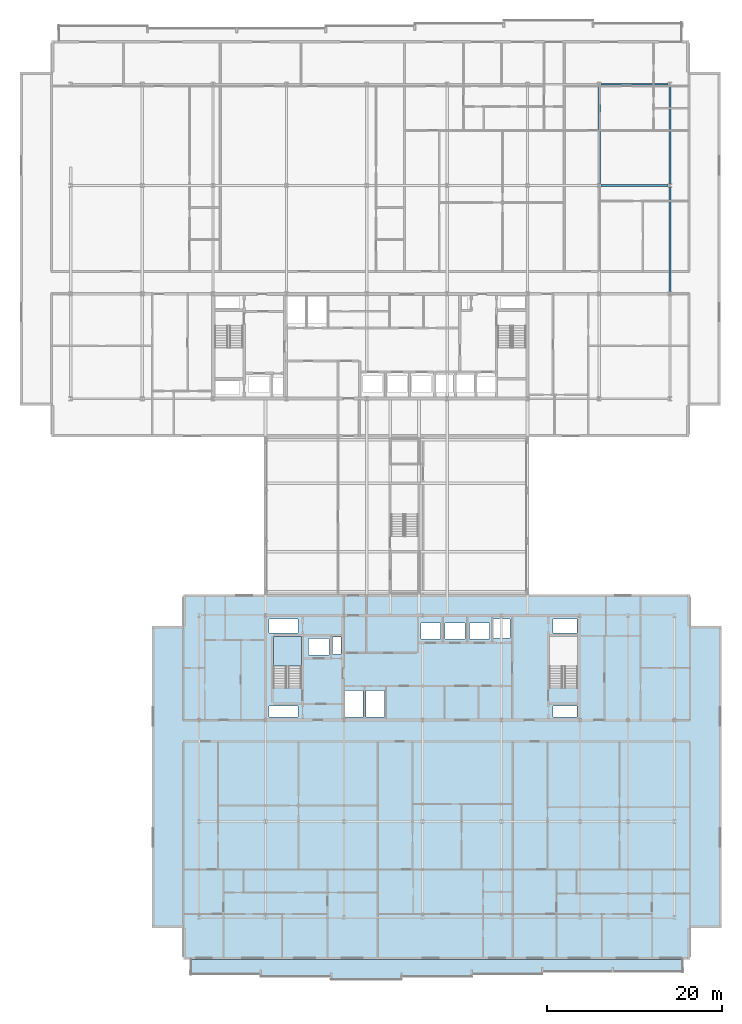
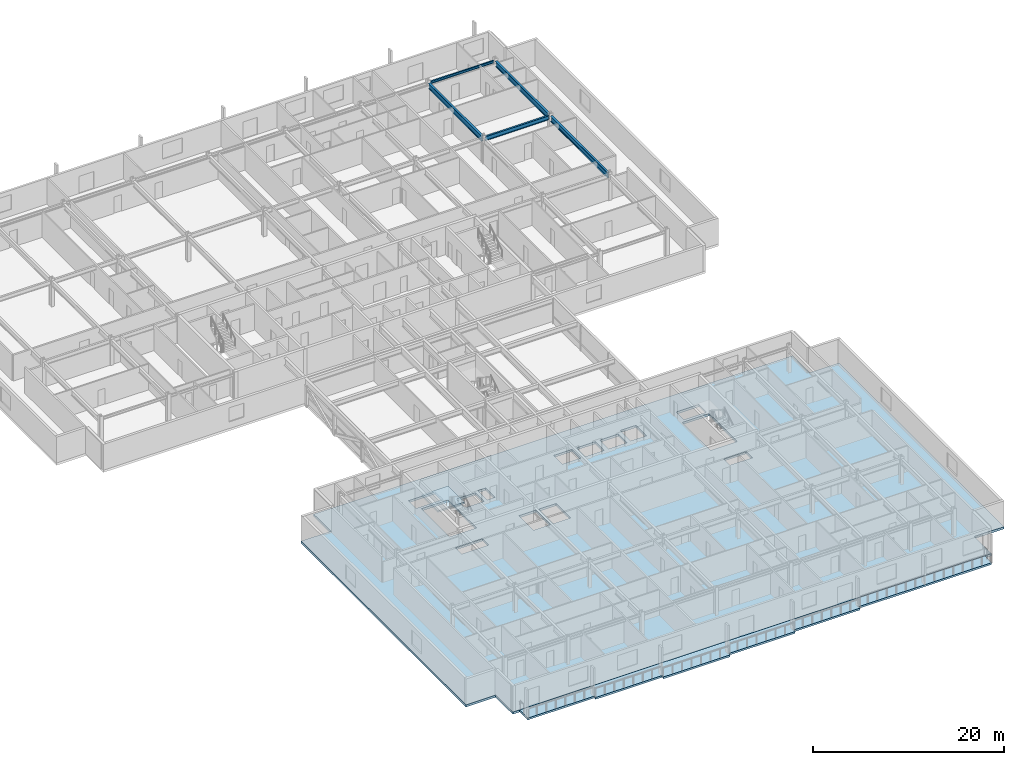
# One storey, part 14 of 36: 5 beams, 3 slabs, 1 element without a shape of its own.
"""IFC4 building model written with IfcOpenShell, lengths in metres."""

from ifc_helpers import new_model, si_unit, direction, frame, origin, origin_2d, place, context, subcontext, project, spatial, polyline, i_section, outline, extrude, material, layer, layer_set, material_profile, profile_set, type_object, element, aggregate, save


model = new_model("IFC4")

# Units and contexts
model_context = context("Model", 3, precision=1e-05, world=origin(), true_north=direction((0.0, 1.0)))
body_context = subcontext(model_context, "Body", "Model", "MODEL_VIEW")
ifc_project = project(units=[si_unit("LENGTHUNIT", "METRE"), si_unit("AREAUNIT", "SQUARE_METRE"), si_unit("VOLUMEUNIT", "CUBIC_METRE"), si_unit("PLANEANGLEUNIT", "RADIAN"), si_unit("MASSUNIT", "GRAM", prefix="KILO")], contexts=[model_context])

# Site, building, storey
site_placement = place(None, origin())
site = spatial("IfcSite", under=ifc_project, at=site_placement, CompositionType="ELEMENT")
building_placement = place(site_placement, origin())
building = spatial("IfcBuilding", under=site, at=building_placement, Name="Korimba Cascade Residences", CompositionType="ELEMENT")
storey_placement = place(building_placement, frame((0.0, 0.0, 142.89990234375)))
storey = spatial("IfcBuildingStorey", under=building, at=storey_placement, Name="L41", CompositionType="ELEMENT", Elevation=142.89990234375)

# Beams
ifc_material_1 = material(Name="Steel S355", Category="steel")
ifc_material_profile_1 = material_profile(ifc_material_1, i_section(OverallWidth=0.165771484375, OverallDepth=0.306640625, WebThickness=0.006591796875, FlangeThickness=0.01171875, FilletRadius=0.0087890625, at=origin_2d()), Name="Steel S355")
ifc_profile_set_1 = profile_set([ifc_material_profile_1], Name="Steel S355")
beam_type_1 = type_object("IfcBeamType", Name="BM-STL-UB305", PredefinedType="SPANDREL", material=ifc_profile_set_1)
beam_1_placement = place(storey_placement, frame((120.506103515625, 91.199951171875, 3.15673828125), z_axis=(1.0, 0.0, 0.0), x_axis=(0.0, 1.0, 0.0)))
element("IfcBeam", 1, at=beam_1_placement, inside=storey, type_object=beam_type_1, Name="L41 T1 E-W Girder Y4 Bay 8", PredefinedType="SPANDREL", context=body_context, shape_type="SweptSolid", body=[
    extrude(i_section(OverallWidth=0.165771484375, OverallDepth=0.306640625, WebThickness=0.006591796875, FlangeThickness=0.01171875, FilletRadius=0.0087890625, at=origin_2d()), origin(), (0.0, 0.0, 1.0), 7.687744140625),
])
ifc_material_profile_2 = material_profile(ifc_material_1, i_section(OverallWidth=0.2099609375, OverallDepth=0.53662109375, WebThickness=0.0107421875, FlangeThickness=0.017333984375, FilletRadius=0.0126953125, at=origin_2d()), Name="Steel S355")
ifc_profile_set_2 = profile_set([ifc_material_profile_2], Name="Steel S355")
beam_type_2 = type_object("IfcBeamType", Name="BM-STL-UB533", PredefinedType="BEAM", material=ifc_profile_set_2)
beam_2_placement = place(storey_placement, frame((120.506103515625, 79.60009765625, 3.041748046875), z_axis=(1.0, 0.0, 0.0), x_axis=(0.0, 1.0, 0.0)))
element("IfcBeam", 2, at=beam_2_placement, inside=storey, type_object=beam_type_2, Name="L41 T1 E-W Girder Y3 Bay 8", PredefinedType="BEAM", context=body_context, shape_type="SweptSolid", body=[
    extrude(i_section(OverallWidth=0.2099609375, OverallDepth=0.53662109375, WebThickness=0.0107421875, FlangeThickness=0.017333984375, FilletRadius=0.0126953125, at=origin_2d()), origin(), (0.0, 0.0, 1.0), 7.687744140625),
])
ifc_material_profile_3 = material_profile(ifc_material_1, i_section(OverallWidth=0.255859375, OverallDepth=0.69287109375, WebThickness=0.014404296875, FlangeThickness=0.023681640625, FilletRadius=0.01513671875, at=origin_2d()), Name="Steel S355")
ifc_profile_set_3 = profile_set([ifc_material_profile_3], Name="Steel S355")
beam_type_3 = type_object("IfcBeamType", Name="BM-STL-UB686", PredefinedType="BEAM", material=ifc_profile_set_3)
beam_3_placement = place(storey_placement, frame((120.300048828125, 79.818359375, 2.963623046875), z_axis=(0.0, 1.0, 0.0), x_axis=(-1.0, 0.0, 0.0)))
element("IfcBeam", 3, at=beam_3_placement, inside=storey, type_object=beam_type_3, Name="L41 T1 N-S Girder X8 Seg 3", PredefinedType="BEAM", context=body_context, shape_type="SweptSolid", body=[
    extrude(i_section(OverallWidth=0.255859375, OverallDepth=0.69287109375, WebThickness=0.014404296875, FlangeThickness=0.023681640625, FilletRadius=0.01513671875, at=origin_2d()), origin(), (0.0, 0.0, 1.0), 11.163330078125),
])
beam_4_placement = place(storey_placement, frame((128.39990234375, 67.418212890625, 2.963623046875), z_axis=(0.0, 1.0, 0.0), x_axis=(-1.0, 0.0, 0.0)))
element("IfcBeam", 4, at=beam_4_placement, inside=storey, type_object=beam_type_3, Name="L41 T1 N-S Girder X9 Seg 2", PredefinedType="BEAM", context=body_context, shape_type="SweptSolid", body=[
    extrude(i_section(OverallWidth=0.255859375, OverallDepth=0.69287109375, WebThickness=0.014404296875, FlangeThickness=0.023681640625, FilletRadius=0.01513671875, at=origin_2d()), origin(), (0.0, 0.0, 1.0), 11.96337890625),
])
beam_5_placement = place(storey_placement, frame((128.39990234375, 79.818359375, 2.963623046875), z_axis=(0.0, 1.0, 0.0), x_axis=(-1.0, 0.0, 0.0)))
element("IfcBeam", 5, at=beam_5_placement, inside=storey, type_object=beam_type_3, Name="L41 T1 N-S Girder X9 Seg 3", PredefinedType="BEAM", context=body_context, shape_type="SweptSolid", body=[
    extrude(i_section(OverallWidth=0.255859375, OverallDepth=0.69287109375, WebThickness=0.014404296875, FlangeThickness=0.023681640625, FilletRadius=0.01513671875, at=origin_2d()), origin(), (0.0, 0.0, 1.0), 11.163330078125),
])

# Stair, slab
ifc_material_2 = material(Name="Concrete C50/60", Category="concrete")
stair_type = type_object("IfcStairType", Name="STR-E1-20R-1800", PredefinedType="HALF_TURN_STAIR", material=ifc_material_2)
stair_placement = place(storey_placement, origin())
stair = element("IfcStair", 6, at=stair_placement, inside=storey, type_object=stair_type, Name="L41 Tower 2 West Fire Stair ST-E1", PredefinedType="HALF_TURN_STAIR")
ifc_layer_1 = layer(ifc_material_2, 0.199951171875)
ifc_layer_set_1 = layer_set([ifc_layer_1], Name="Concrete C50/60")
slab_type_1 = type_object("IfcSlabType", Name="SLB-LND-220", PredefinedType="LANDING", material=ifc_layer_set_1)
slab_1_placement = place(storey_placement, frame((0.0, 0.0, 1.60009765625)))
slab_1 = element("IfcSlab", 7, at=slab_1_placement, type_object=slab_type_1, Name="ST-E1 landing 1", PredefinedType="LANDING", context=body_context, shape_type="SweptSolid", body=[
    extrude(outline(polyline([(86.239990234375, 24.570068359375), (86.239990234375, 28.0), (83.0, 28.0), (83.0, 24.570068359375), (86.239990234375, 24.570068359375)])), origin(), (0.0, 0.0, 1.0), 0.199951171875),
])
aggregate(stair, [slab_1])

# Slabs
ifc_material_3 = material(Name="Precast concrete C40/50", Category="concrete")
ifc_layer_2 = layer(ifc_material_3, 0.239990234375)
ifc_layer_set_2 = layer_set([ifc_layer_2], Name="Precast concrete C40/50")
slab_type_2 = type_object("IfcSlabType", Name="SLB-LOG-240", PredefinedType="FLOOR", material=ifc_layer_set_2)
slab_2_placement = place(storey_placement, frame((0.0, 0.0, -0.239990234375)))
element("IfcSlab", 8, at=slab_2_placement, inside=storey, type_object=slab_type_2, Name="L41 Tower 2 South Loggia Slab", PredefinedType="FLOOR", context=body_context, shape_type="SweptSolid", body=[
    extrude(outline(polyline([(73.5, -10.75), (81.55712890625, -10.75), (81.55712890625, -11.050048828125), (89.6142578125, -11.050048828125), (89.6142578125, -11.35009765625), (97.67138671875, -11.35009765625), (97.67138671875, -11.050048828125), (105.728515625, -11.050048828125), (105.728515625, -10.75), (113.78564453125, -10.75), (113.78564453125, -10.449951171875), (129.89990234375, -10.449951171875), (129.89990234375, -9.0), (73.5, -9.0), (73.5, -10.75)])), origin(), (0.0, 0.0, 1.0), 0.239990234375),
])
ifc_layer_3 = layer(ifc_material_2, 0.280029296875)
ifc_layer_set_3 = layer_set([ifc_layer_3], Name="Concrete C50/60")
slab_type_3 = type_object("IfcSlabType", Name="SLB-TYP-280", PredefinedType="FLOOR", material=ifc_layer_set_3)
slab_3_placement = place(storey_placement, frame((0.0, 0.0, -0.289794921875)))
element("IfcSlab", 9, at=slab_3_placement, inside=storey, type_object=slab_type_3, Name="L41 Tower 2 Floor Slab", PredefinedType="FLOOR", context=body_context, shape_type="SweptSolid", body=[
    extrude(outline(polyline([(72.699951171875, -9.0), (130.699951171875, -9.0), (130.699951171875, -5.39990234375), (134.300048828125, -5.39990234375), (134.300048828125, 29.199951171875), (130.699951171875, 29.199951171875), (130.699951171875, 32.800048828125), (72.699951171875, 32.800048828125), (72.699951171875, 29.199951171875), (69.10009765625, 29.199951171875), (69.10009765625, -5.39990234375), (72.699951171875, -5.39990234375), (72.699951171875, -9.0)]), holes=[polyline([(86.239990234375, 22.0849609375), (86.239990234375, 28.0), (83.0, 28.0), (83.0, 22.0849609375), (86.239990234375, 22.0849609375)]), polyline([(117.840087890625, 22.0849609375), (117.840087890625, 28.0), (114.60009765625, 28.0), (114.60009765625, 22.0849609375), (117.840087890625, 22.0849609375)]), polyline([(87.030029296875, 25.8798828125), (89.3701171875, 25.8798828125), (89.3701171875, 27.719970703125), (87.030029296875, 27.719970703125), (87.030029296875, 25.8798828125)]), polyline([(99.8798828125, 27.679931640625), (102.1201171875, 27.679931640625), (102.1201171875, 29.52001953125), (99.8798828125, 29.52001953125), (99.8798828125, 27.679931640625)]), polyline([(102.679931640625, 27.679931640625), (104.919921875, 27.679931640625), (104.919921875, 29.52001953125), (102.679931640625, 29.52001953125), (102.679931640625, 27.679931640625)]), polyline([(105.47998046875, 27.679931640625), (107.719970703125, 27.679931640625), (107.719970703125, 29.52001953125), (105.47998046875, 29.52001953125), (105.47998046875, 27.679931640625)]), polyline([(89.780029296875, 25.97998046875), (90.719970703125, 25.97998046875), (90.719970703125, 27.919921875), (89.780029296875, 27.919921875), (89.780029296875, 25.97998046875)]), polyline([(82.530029296875, 18.72998046875), (85.800048828125, 18.72998046875), (85.800048828125, 20.0400390625), (82.530029296875, 20.0400390625), (82.530029296875, 18.72998046875)]), polyline([(82.530029296875, 28.360107421875), (85.800048828125, 28.360107421875), (85.800048828125, 29.969970703125), (82.530029296875, 29.969970703125), (82.530029296875, 28.360107421875)]), polyline([(108.22998046875, 27.780029296875), (110.1201171875, 27.780029296875), (110.1201171875, 29.969970703125), (108.22998046875, 29.969970703125), (108.22998046875, 27.780029296875)]), polyline([(91.22998046875, 18.72998046875), (93.27001953125, 18.72998046875), (93.27001953125, 21.780029296875), (91.22998046875, 21.780029296875), (91.22998046875, 18.72998046875)]), polyline([(93.6298828125, 18.72998046875), (95.719970703125, 18.72998046875), (95.719970703125, 21.780029296875), (93.6298828125, 21.780029296875), (93.6298828125, 18.72998046875)]), polyline([(115.02001953125, 18.72998046875), (117.739990234375, 18.72998046875), (117.739990234375, 20.0400390625), (115.02001953125, 20.0400390625), (115.02001953125, 18.72998046875)]), polyline([(115.02001953125, 28.360107421875), (117.739990234375, 28.360107421875), (117.739990234375, 29.969970703125), (115.02001953125, 29.969970703125), (115.02001953125, 28.360107421875)])]), origin(), (0.0, 0.0, 1.0), 0.289794921875),
])

save(model, "model.ifc")
